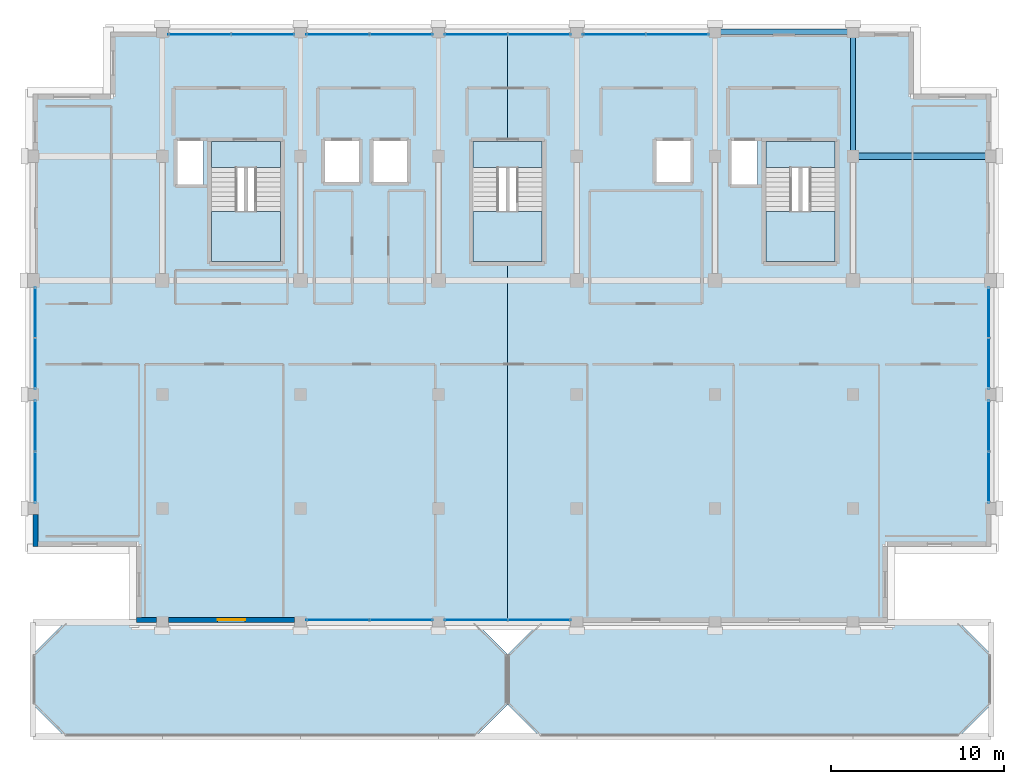
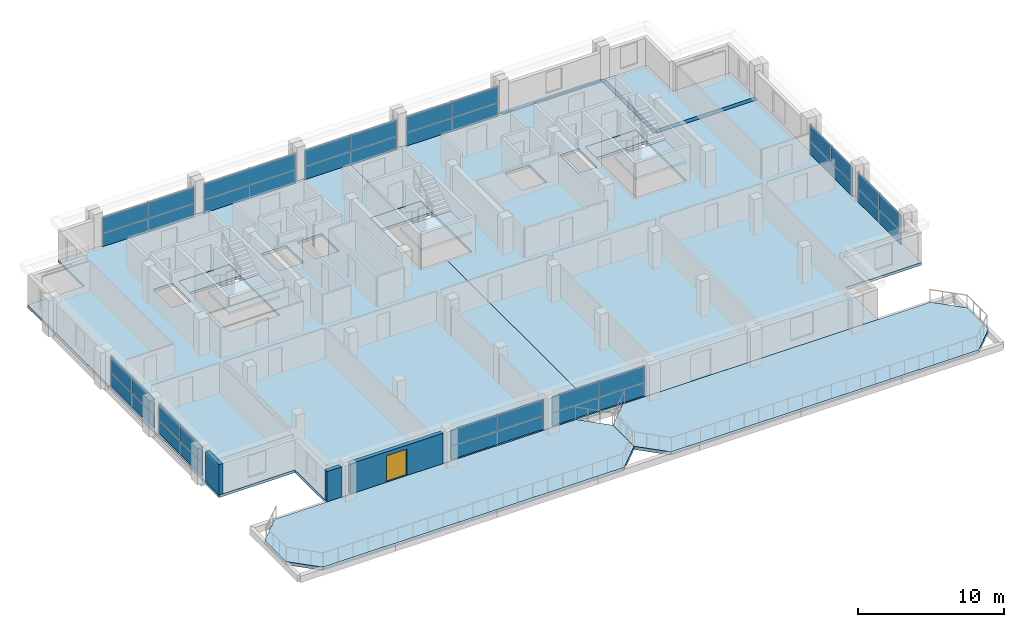
# One storey, part 15 of 21: 30 plates, 10 slabs, 3 beams, 3 walls, 1 door, 1 opening, 13 elements without a shape of their own.
"""IFC4 building model written with IfcOpenShell, lengths in metres."""

from ifc_helpers import new_model, si_unit, direction, frame, frame_2d, origin, origin_2d, place, context, subcontext, project, spatial, polyline, rectangle, outline, extrude, material, layer, layer_set, material_profile, profile_set, type_object, element, fill, aggregate, save


model = new_model("IFC4")

# Units and contexts
model_context = context("Model", 3, precision=1e-05, world=origin(), true_north=direction((0.0, 1.0)))
body_context = subcontext(model_context, "Body", "Model", "MODEL_VIEW")
ifc_project = project(units=[si_unit("LENGTHUNIT", "METRE"), si_unit("AREAUNIT", "SQUARE_METRE"), si_unit("VOLUMEUNIT", "CUBIC_METRE"), si_unit("PLANEANGLEUNIT", "RADIAN"), si_unit("MASSUNIT", "GRAM", prefix="KILO")], contexts=[model_context])

# Site, building, storey
site_placement = place(None, origin())
site = spatial("IfcSite", under=ifc_project, at=site_placement, CompositionType="ELEMENT")
building_placement = place(site_placement, origin())
building = spatial("IfcBuilding", under=site, at=building_placement, Name="Akrevak Sports Hall", CompositionType="ELEMENT")
storey_placement = place(building_placement, frame((0.0, 0.0, 53.550048828125)))
storey = spatial("IfcBuildingStorey", under=building, at=storey_placement, Name="L13", CompositionType="ELEMENT", Elevation=53.550048828125)

# Beams
ifc_material_1 = material(Name="Concrete C40/50", Category="concrete")
ifc_material_profile_1 = material_profile(ifc_material_1, rectangle(XDim=0.300048828125, YDim=0.5, at=origin_2d()), Name="BM 300x500", Category="concrete")
ifc_profile_set_1 = profile_set([ifc_material_profile_1], Name="Concrete C40/50")
beam_type_1 = type_object("IfcBeamType", Name="STR-BM-RC300x500", PredefinedType="BEAM", material=ifc_profile_set_1)
beam_1_placement = place(storey_placement, frame((100.0, 62.39990234375, -0.25), z_axis=(0.0, 1.0, 0.0), x_axis=(-1.0, 0.0, 0.0)))
element("IfcBeam", 1, at=beam_1_placement, inside=storey, type_object=beam_type_1, Name="Girder 14/J-K (L13)", PredefinedType="BEAM", context=body_context, shape_type="SweptSolid", body=[
    extrude(rectangle(XDim=0.300048828125, YDim=0.5, at=origin_2d()), origin(), (0.0, 0.0, 1.0), 7.2001953125),
])
ifc_material_profile_2 = material_profile(ifc_material_1, rectangle(XDim=0.35009765625, YDim=0.550048828125, at=origin_2d()), Name="BM 350x550", Category="concrete")
ifc_profile_set_2 = profile_set([ifc_material_profile_2], Name="Concrete C40/50")
beam_type_2 = type_object("IfcBeamType", Name="STR-BM-RC350x550", PredefinedType="BEAM", material=ifc_profile_set_2)
beam_2_placement = place(storey_placement, frame((100.0, 62.39990234375, -0.275146484375), z_axis=(1.0, 0.0, 0.0), x_axis=(0.0, 1.0, 0.0)))
element("IfcBeam", 2, at=beam_2_placement, inside=storey, type_object=beam_type_2, Name="Girder J/14-15 (L13)", PredefinedType="BEAM", context=body_context, shape_type="SweptSolid", body=[
    extrude(rectangle(XDim=0.35009765625, YDim=0.550048828125, at=origin_2d()), origin(), (0.0, 0.0, 1.0), 8.0),
])
ifc_material_profile_3 = material_profile(ifc_material_1, rectangle(XDim=0.320068359375, YDim=0.679931640625, at=origin_2d()), Name="SPD 320x680", Category="concrete")
ifc_profile_set_3 = profile_set([ifc_material_profile_3], Name="Concrete C40/50")
beam_type_3 = type_object("IfcBeamType", Name="STR-SPD-RC320x680", PredefinedType="SPANDREL", material=ifc_profile_set_3)
beam_3_placement = place(storey_placement, frame((92.0, 69.60009765625, -0.340087890625), z_axis=(1.0, 0.0, 0.0), x_axis=(0.0, 1.0, 0.0)))
element("IfcBeam", 3, at=beam_3_placement, inside=storey, type_object=beam_type_3, Name="Girder K/13-14 (L13)", PredefinedType="SPANDREL", context=body_context, shape_type="SweptSolid", body=[
    extrude(rectangle(XDim=0.320068359375, YDim=0.679931640625, at=origin_2d()), origin(), (0.0, 0.0, 1.0), 8.0),
])

# Curtain wall, plates
ifc_material_2 = material(Name="Anodized Bronze Aluminium & Low-E Glass", Category="aluminium")
curtain_wall_type = type_object("IfcCurtainWallType", Name="ARC-CW-TWR-68x30", PredefinedType="NOTDEFINED", material=ifc_material_2)
curtain_wall_1_placement = place(storey_placement, origin())
curtain_wall_1 = element("IfcCurtainWall", 4, at=curtain_wall_1_placement, inside=storey, type_object=curtain_wall_type, Name="Curtain Wall CW-L13-S03", PredefinedType="NOTDEFINED")
ifc_material_3 = material(Name="Double Low-E Tempered Glass", Category="glass")
ifc_layer_1 = layer(ifc_material_3, 0.031982421875, Name="Double Low-E Tempered Glass")
ifc_layer_set_1 = layer_set([ifc_layer_1], Name="Double Low-E Tempered Glass")
plate_type_1 = type_object("IfcPlateType", Name="ARC-CWP-GLZ-32", PredefinedType="CURTAIN_PANEL", material=ifc_layer_set_1)
plate_1_placement = place(storey_placement, frame((70.175048828125, 35.550048828125, 1.099853515625), z_axis=(0.0, 0.0, 1.0), x_axis=(1.0, 0.0, 0.0)))
plate_1 = element("IfcPlate", 5, at=plate_1_placement, type_object=plate_type_1, Name="Vision Glass Panel CW-L13-S03-G1", PredefinedType="CURTAIN_PANEL", context=body_context, shape_type="SweptSolid", body=[
    extrude(rectangle(XDim=3.64990234375, YDim=0.035888671875, at=origin_2d()), origin(), (0.0, 0.0, 1.0), 1.35009765625),
])
plate_2_placement = place(storey_placement, frame((73.824951171875, 35.550048828125, 1.099853515625), z_axis=(0.0, 0.0, 1.0), x_axis=(1.0, 0.0, 0.0)))
plate_2 = element("IfcPlate", 6, at=plate_2_placement, type_object=plate_type_1, Name="Vision Glass Panel CW-L13-S03-G2", PredefinedType="CURTAIN_PANEL", context=body_context, shape_type="SweptSolid", body=[
    extrude(rectangle(XDim=3.64990234375, YDim=0.035888671875, at=origin_2d()), origin(), (0.0, 0.0, 1.0), 1.35009765625),
])

curtain_wall_2_placement = place(storey_placement, origin())
curtain_wall_2 = element("IfcCurtainWall", 7, at=curtain_wall_2_placement, inside=storey, type_object=curtain_wall_type, Name="Curtain Wall CW-L13-S04", PredefinedType="NOTDEFINED")
plate_3_placement = place(storey_placement, frame((78.175048828125, 35.550048828125, 1.099853515625), z_axis=(0.0, 0.0, 1.0), x_axis=(1.0, 0.0, 0.0)))
plate_3 = element("IfcPlate", 8, at=plate_3_placement, type_object=plate_type_1, Name="Vision Glass Panel CW-L13-S04-G1", PredefinedType="CURTAIN_PANEL", context=body_context, shape_type="SweptSolid", body=[
    extrude(rectangle(XDim=3.64990234375, YDim=0.035888671875, at=origin_2d()), origin(), (0.0, 0.0, 1.0), 1.35009765625),
])
plate_4_placement = place(storey_placement, frame((81.824951171875, 35.550048828125, 1.099853515625), z_axis=(0.0, 0.0, 1.0), x_axis=(1.0, 0.0, 0.0)))
plate_4 = element("IfcPlate", 9, at=plate_4_placement, type_object=plate_type_1, Name="Vision Glass Panel CW-L13-S04-G2", PredefinedType="CURTAIN_PANEL", context=body_context, shape_type="SweptSolid", body=[
    extrude(rectangle(XDim=3.64990234375, YDim=0.035888671875, at=origin_2d()), origin(), (0.0, 0.0, 1.0), 1.35009765625),
])

curtain_wall_3_placement = place(storey_placement, origin())
curtain_wall_3 = element("IfcCurtainWall", 10, at=curtain_wall_3_placement, inside=storey, type_object=curtain_wall_type, Name="Curtain Wall CW-L13-E11", PredefinedType="NOTDEFINED")
plate_5_placement = place(storey_placement, frame((107.85009765625, 43.824951171875, 1.099853515625), z_axis=(0.0, 0.0, 1.0), x_axis=(0.0, 1.0, 0.0)))
plate_5 = element("IfcPlate", 11, at=plate_5_placement, type_object=plate_type_1, Name="Vision Glass Panel CW-L13-E11-G1", PredefinedType="CURTAIN_PANEL", context=body_context, shape_type="SweptSolid", body=[
    extrude(rectangle(XDim=2.949951171875, YDim=0.035888671875, at=origin_2d()), origin(), (0.0, 0.0, 1.0), 1.35009765625),
])
plate_6_placement = place(storey_placement, frame((107.85009765625, 46.77490234375, 1.099853515625), z_axis=(0.0, 0.0, 1.0), x_axis=(0.0, 1.0, 0.0)))
plate_6 = element("IfcPlate", 12, at=plate_6_placement, type_object=plate_type_1, Name="Vision Glass Panel CW-L13-E11-G2", PredefinedType="CURTAIN_PANEL", context=body_context, shape_type="SweptSolid", body=[
    extrude(rectangle(XDim=2.949951171875, YDim=0.035888671875, at=origin_2d()), origin(), (0.0, 0.0, 1.0), 1.35009765625),
])

curtain_wall_4_placement = place(storey_placement, origin())
curtain_wall_4 = element("IfcCurtainWall", 13, at=curtain_wall_4_placement, inside=storey, type_object=curtain_wall_type, Name="Curtain Wall CW-L13-E12", PredefinedType="NOTDEFINED")
plate_7_placement = place(storey_placement, frame((107.85009765625, 50.41259765625, 1.099853515625), z_axis=(0.0, 0.0, 1.0), x_axis=(0.0, 1.0, 0.0)))
plate_7 = element("IfcPlate", 14, at=plate_7_placement, type_object=plate_type_1, Name="Vision Glass Panel CW-L13-E12-G1", PredefinedType="CURTAIN_PANEL", context=body_context, shape_type="SweptSolid", body=[
    extrude(rectangle(XDim=2.925048828125, YDim=0.035888671875, at=origin_2d()), origin(), (0.0, 0.0, 1.0), 1.35009765625),
])
plate_8_placement = place(storey_placement, frame((107.85009765625, 53.33740234375, 1.099853515625), z_axis=(0.0, 0.0, 1.0), x_axis=(0.0, 1.0, 0.0)))
plate_8 = element("IfcPlate", 15, at=plate_8_placement, type_object=plate_type_1, Name="Vision Glass Panel CW-L13-E12-G2", PredefinedType="CURTAIN_PANEL", context=body_context, shape_type="SweptSolid", body=[
    extrude(rectangle(XDim=2.925048828125, YDim=0.035888671875, at=origin_2d()), origin(), (0.0, 0.0, 1.0), 1.35009765625),
])

curtain_wall_5_placement = place(storey_placement, origin())
curtain_wall_5 = element("IfcCurtainWall", 16, at=curtain_wall_5_placement, inside=storey, type_object=curtain_wall_type, Name="Curtain Wall CW-L13-N19", PredefinedType="NOTDEFINED")
plate_9_placement = place(storey_placement, frame((89.824951171875, 69.449951171875, 1.099853515625), z_axis=(0.0, 0.0, 1.0), x_axis=(-1.0, 0.0, 0.0)))
plate_9 = element("IfcPlate", 17, at=plate_9_placement, type_object=plate_type_1, Name="Vision Glass Panel CW-L13-N19-G1", PredefinedType="CURTAIN_PANEL", context=body_context, shape_type="SweptSolid", body=[
    extrude(rectangle(XDim=3.64990234375, YDim=0.035888671875, at=origin_2d()), origin(), (0.0, 0.0, 1.0), 1.35009765625),
])
plate_10_placement = place(storey_placement, frame((86.175048828125, 69.449951171875, 1.099853515625), z_axis=(0.0, 0.0, 1.0), x_axis=(-1.0, 0.0, 0.0)))
plate_10 = element("IfcPlate", 18, at=plate_10_placement, type_object=plate_type_1, Name="Vision Glass Panel CW-L13-N19-G2", PredefinedType="CURTAIN_PANEL", context=body_context, shape_type="SweptSolid", body=[
    extrude(rectangle(XDim=3.64990234375, YDim=0.035888671875, at=origin_2d()), origin(), (0.0, 0.0, 1.0), 1.35009765625),
])

curtain_wall_6_placement = place(storey_placement, origin())
curtain_wall_6 = element("IfcCurtainWall", 19, at=curtain_wall_6_placement, inside=storey, type_object=curtain_wall_type, Name="Curtain Wall CW-L13-N20", PredefinedType="NOTDEFINED")
plate_11_placement = place(storey_placement, frame((81.824951171875, 69.449951171875, 1.099853515625), z_axis=(0.0, 0.0, 1.0), x_axis=(-1.0, 0.0, 0.0)))
plate_11 = element("IfcPlate", 20, at=plate_11_placement, type_object=plate_type_1, Name="Vision Glass Panel CW-L13-N20-G1", PredefinedType="CURTAIN_PANEL", context=body_context, shape_type="SweptSolid", body=[
    extrude(rectangle(XDim=3.64990234375, YDim=0.035888671875, at=origin_2d()), origin(), (0.0, 0.0, 1.0), 1.35009765625),
])
plate_12_placement = place(storey_placement, frame((78.175048828125, 69.449951171875, 1.099853515625), z_axis=(0.0, 0.0, 1.0), x_axis=(-1.0, 0.0, 0.0)))
plate_12 = element("IfcPlate", 21, at=plate_12_placement, type_object=plate_type_1, Name="Vision Glass Panel CW-L13-N20-G2", PredefinedType="CURTAIN_PANEL", context=body_context, shape_type="SweptSolid", body=[
    extrude(rectangle(XDim=3.64990234375, YDim=0.035888671875, at=origin_2d()), origin(), (0.0, 0.0, 1.0), 1.35009765625),
])

curtain_wall_7_placement = place(storey_placement, origin())
curtain_wall_7 = element("IfcCurtainWall", 22, at=curtain_wall_7_placement, inside=storey, type_object=curtain_wall_type, Name="Curtain Wall CW-L13-N21", PredefinedType="NOTDEFINED")
plate_13_placement = place(storey_placement, frame((73.824951171875, 69.449951171875, 1.099853515625), z_axis=(0.0, 0.0, 1.0), x_axis=(-1.0, 0.0, 0.0)))
plate_13 = element("IfcPlate", 23, at=plate_13_placement, type_object=plate_type_1, Name="Vision Glass Panel CW-L13-N21-G1", PredefinedType="CURTAIN_PANEL", context=body_context, shape_type="SweptSolid", body=[
    extrude(rectangle(XDim=3.64990234375, YDim=0.035888671875, at=origin_2d()), origin(), (0.0, 0.0, 1.0), 1.35009765625),
])
plate_14_placement = place(storey_placement, frame((70.175048828125, 69.449951171875, 1.099853515625), z_axis=(0.0, 0.0, 1.0), x_axis=(-1.0, 0.0, 0.0)))
plate_14 = element("IfcPlate", 24, at=plate_14_placement, type_object=plate_type_1, Name="Vision Glass Panel CW-L13-N21-G2", PredefinedType="CURTAIN_PANEL", context=body_context, shape_type="SweptSolid", body=[
    extrude(rectangle(XDim=3.64990234375, YDim=0.035888671875, at=origin_2d()), origin(), (0.0, 0.0, 1.0), 1.35009765625),
])

curtain_wall_8_placement = place(storey_placement, origin())
curtain_wall_8 = element("IfcCurtainWall", 25, at=curtain_wall_8_placement, inside=storey, type_object=curtain_wall_type, Name="Curtain Wall CW-L13-N22", PredefinedType="NOTDEFINED")
plate_15_placement = place(storey_placement, frame((65.824951171875, 69.449951171875, 1.099853515625), z_axis=(0.0, 0.0, 1.0), x_axis=(-1.0, 0.0, 0.0)))
plate_15 = element("IfcPlate", 26, at=plate_15_placement, type_object=plate_type_1, Name="Vision Glass Panel CW-L13-N22-G1", PredefinedType="CURTAIN_PANEL", context=body_context, shape_type="SweptSolid", body=[
    extrude(rectangle(XDim=3.64990234375, YDim=0.035888671875, at=origin_2d()), origin(), (0.0, 0.0, 1.0), 1.35009765625),
])
plate_16_placement = place(storey_placement, frame((62.175048828125, 69.449951171875, 1.099853515625), z_axis=(0.0, 0.0, 1.0), x_axis=(-1.0, 0.0, 0.0)))
plate_16 = element("IfcPlate", 27, at=plate_16_placement, type_object=plate_type_1, Name="Vision Glass Panel CW-L13-N22-G2", PredefinedType="CURTAIN_PANEL", context=body_context, shape_type="SweptSolid", body=[
    extrude(rectangle(XDim=3.64990234375, YDim=0.035888671875, at=origin_2d()), origin(), (0.0, 0.0, 1.0), 1.35009765625),
])

curtain_wall_9_placement = place(storey_placement, origin())
curtain_wall_9 = element("IfcCurtainWall", 28, at=curtain_wall_9_placement, inside=storey, type_object=curtain_wall_type, Name="Curtain Wall CW-L13-W28", PredefinedType="NOTDEFINED")
plate_17_placement = place(storey_placement, frame((52.64990234375, 53.33740234375, 1.099853515625), z_axis=(0.0, 0.0, 1.0), x_axis=(0.0, -1.0, 0.0)))
plate_17 = element("IfcPlate", 29, at=plate_17_placement, type_object=plate_type_1, Name="Vision Glass Panel CW-L13-W28-G1", PredefinedType="CURTAIN_PANEL", context=body_context, shape_type="SweptSolid", body=[
    extrude(rectangle(XDim=2.925048828125, YDim=0.035888671875, at=origin_2d()), origin(), (0.0, 0.0, 1.0), 1.35009765625),
])
plate_18_placement = place(storey_placement, frame((52.64990234375, 50.41259765625, 1.099853515625), z_axis=(0.0, 0.0, 1.0), x_axis=(0.0, -1.0, 0.0)))
plate_18 = element("IfcPlate", 30, at=plate_18_placement, type_object=plate_type_1, Name="Vision Glass Panel CW-L13-W28-G2", PredefinedType="CURTAIN_PANEL", context=body_context, shape_type="SweptSolid", body=[
    extrude(rectangle(XDim=2.925048828125, YDim=0.035888671875, at=origin_2d()), origin(), (0.0, 0.0, 1.0), 1.35009765625),
])

curtain_wall_10_placement = place(storey_placement, origin())
curtain_wall_10 = element("IfcCurtainWall", 31, at=curtain_wall_10_placement, inside=storey, type_object=curtain_wall_type, Name="Curtain Wall CW-L13-W29", PredefinedType="NOTDEFINED")
plate_19_placement = place(storey_placement, frame((52.64990234375, 46.77490234375, 1.099853515625), z_axis=(0.0, 0.0, 1.0), x_axis=(0.0, -1.0, 0.0)))
plate_19 = element("IfcPlate", 32, at=plate_19_placement, type_object=plate_type_1, Name="Vision Glass Panel CW-L13-W29-G1", PredefinedType="CURTAIN_PANEL", context=body_context, shape_type="SweptSolid", body=[
    extrude(rectangle(XDim=2.949951171875, YDim=0.035888671875, at=origin_2d()), origin(), (0.0, 0.0, 1.0), 1.35009765625),
])
plate_20_placement = place(storey_placement, frame((52.64990234375, 43.824951171875, 1.099853515625), z_axis=(0.0, 0.0, 1.0), x_axis=(0.0, -1.0, 0.0)))
plate_20 = element("IfcPlate", 33, at=plate_20_placement, type_object=plate_type_1, Name="Vision Glass Panel CW-L13-W29-G2", PredefinedType="CURTAIN_PANEL", context=body_context, shape_type="SweptSolid", body=[
    extrude(rectangle(XDim=2.949951171875, YDim=0.035888671875, at=origin_2d()), origin(), (0.0, 0.0, 1.0), 1.35009765625),
])

# Plate
ifc_material_4 = material(Name="Insulated Bronze Spandrel Panel", Category="aluminium")
ifc_layer_2 = layer(ifc_material_4, 0.0400390625, Name="Insulated Bronze Spandrel Panel")
ifc_layer_set_2 = layer_set([ifc_layer_2], Name="Insulated Bronze Spandrel Panel")
plate_type_2 = type_object("IfcPlateType", Name="ARC-CWP-SPD-40", PredefinedType="CURTAIN_PANEL", material=ifc_layer_set_2)
plate_21_placement = place(storey_placement, frame((72.0, 35.550048828125, 0.0), z_axis=(0.0, 0.0, 1.0), x_axis=(1.0, 0.0, 0.0)))
plate_21 = element("IfcPlate", 34, at=plate_21_placement, type_object=plate_type_2, Name="Insulated Spandrel Panel CW-L13-S03-S1", PredefinedType="CURTAIN_PANEL", context=body_context, shape_type="SweptSolid", body=[
    extrude(rectangle(XDim=7.300048828125, YDim=0.0439453125, at=origin_2d()), origin(), (0.0, 0.0, 1.0), 1.10009765625),
])

aggregate(curtain_wall_1, [plate_1, plate_2, plate_21])

plate_22_placement = place(storey_placement, frame((80.0, 35.550048828125, 0.0), z_axis=(0.0, 0.0, 1.0), x_axis=(1.0, 0.0, 0.0)))
plate_22 = element("IfcPlate", 35, at=plate_22_placement, type_object=plate_type_2, Name="Insulated Spandrel Panel CW-L13-S04-S1", PredefinedType="CURTAIN_PANEL", context=body_context, shape_type="SweptSolid", body=[
    extrude(rectangle(XDim=7.300048828125, YDim=0.0439453125, at=origin_2d()), origin(), (0.0, 0.0, 1.0), 1.10009765625),
])

aggregate(curtain_wall_2, [plate_3, plate_4, plate_22])

plate_23_placement = place(storey_placement, frame((107.85009765625, 45.300048828125, 0.0), z_axis=(0.0, 0.0, 1.0), x_axis=(0.0, 1.0, 0.0)))
plate_23 = element("IfcPlate", 36, at=plate_23_placement, type_object=plate_type_2, Name="Insulated Spandrel Panel CW-L13-E11-S1", PredefinedType="CURTAIN_PANEL", context=body_context, shape_type="SweptSolid", body=[
    extrude(rectangle(XDim=5.89990234375, YDim=0.0439453125, at=origin_2d()), origin(), (0.0, 0.0, 1.0), 1.10009765625),
])

aggregate(curtain_wall_3, [plate_5, plate_6, plate_23])

plate_24_placement = place(storey_placement, frame((107.85009765625, 51.875, 0.0), z_axis=(0.0, 0.0, 1.0), x_axis=(0.0, 1.0, 0.0)))
plate_24 = element("IfcPlate", 37, at=plate_24_placement, type_object=plate_type_2, Name="Insulated Spandrel Panel CW-L13-E12-S1", PredefinedType="CURTAIN_PANEL", context=body_context, shape_type="SweptSolid", body=[
    extrude(rectangle(XDim=5.85009765625, YDim=0.0439453125, at=origin_2d()), origin(), (0.0, 0.0, 1.0), 1.10009765625),
])

aggregate(curtain_wall_4, [plate_7, plate_8, plate_24])

plate_25_placement = place(storey_placement, frame((88.0, 69.449951171875, 0.0), z_axis=(0.0, 0.0, 1.0), x_axis=(-1.0, 0.0, 0.0)))
plate_25 = element("IfcPlate", 38, at=plate_25_placement, type_object=plate_type_2, Name="Insulated Spandrel Panel CW-L13-N19-S1", PredefinedType="CURTAIN_PANEL", context=body_context, shape_type="SweptSolid", body=[
    extrude(rectangle(XDim=7.300048828125, YDim=0.0439453125, at=origin_2d()), origin(), (0.0, 0.0, 1.0), 1.10009765625),
])

aggregate(curtain_wall_5, [plate_9, plate_10, plate_25])

plate_26_placement = place(storey_placement, frame((80.0, 69.449951171875, 0.0), z_axis=(0.0, 0.0, 1.0), x_axis=(-1.0, 0.0, 0.0)))
plate_26 = element("IfcPlate", 39, at=plate_26_placement, type_object=plate_type_2, Name="Insulated Spandrel Panel CW-L13-N20-S1", PredefinedType="CURTAIN_PANEL", context=body_context, shape_type="SweptSolid", body=[
    extrude(rectangle(XDim=7.300048828125, YDim=0.0439453125, at=origin_2d()), origin(), (0.0, 0.0, 1.0), 1.10009765625),
])

aggregate(curtain_wall_6, [plate_11, plate_12, plate_26])

plate_27_placement = place(storey_placement, frame((72.0, 69.449951171875, 0.0), z_axis=(0.0, 0.0, 1.0), x_axis=(-1.0, 0.0, 0.0)))
plate_27 = element("IfcPlate", 40, at=plate_27_placement, type_object=plate_type_2, Name="Insulated Spandrel Panel CW-L13-N21-S1", PredefinedType="CURTAIN_PANEL", context=body_context, shape_type="SweptSolid", body=[
    extrude(rectangle(XDim=7.300048828125, YDim=0.0439453125, at=origin_2d()), origin(), (0.0, 0.0, 1.0), 1.10009765625),
])

aggregate(curtain_wall_7, [plate_13, plate_14, plate_27])

plate_28_placement = place(storey_placement, frame((64.0, 69.449951171875, 0.0), z_axis=(0.0, 0.0, 1.0), x_axis=(-1.0, 0.0, 0.0)))
plate_28 = element("IfcPlate", 41, at=plate_28_placement, type_object=plate_type_2, Name="Insulated Spandrel Panel CW-L13-N22-S1", PredefinedType="CURTAIN_PANEL", context=body_context, shape_type="SweptSolid", body=[
    extrude(rectangle(XDim=7.300048828125, YDim=0.0439453125, at=origin_2d()), origin(), (0.0, 0.0, 1.0), 1.10009765625),
])

aggregate(curtain_wall_8, [plate_15, plate_16, plate_28])

plate_29_placement = place(storey_placement, frame((52.64990234375, 51.875, 0.0), z_axis=(0.0, 0.0, 1.0), x_axis=(0.0, -1.0, 0.0)))
plate_29 = element("IfcPlate", 42, at=plate_29_placement, type_object=plate_type_2, Name="Insulated Spandrel Panel CW-L13-W28-S1", PredefinedType="CURTAIN_PANEL", context=body_context, shape_type="SweptSolid", body=[
    extrude(rectangle(XDim=5.85009765625, YDim=0.0439453125, at=origin_2d()), origin(), (0.0, 0.0, 1.0), 1.10009765625),
])

aggregate(curtain_wall_9, [plate_17, plate_18, plate_29])

plate_30_placement = place(storey_placement, frame((52.64990234375, 45.300048828125, 0.0), z_axis=(0.0, 0.0, 1.0), x_axis=(0.0, -1.0, 0.0)))
plate_30 = element("IfcPlate", 43, at=plate_30_placement, type_object=plate_type_2, Name="Insulated Spandrel Panel CW-L13-W29-S1", PredefinedType="CURTAIN_PANEL", context=body_context, shape_type="SweptSolid", body=[
    extrude(rectangle(XDim=5.89990234375, YDim=0.0439453125, at=origin_2d()), origin(), (0.0, 0.0, 1.0), 1.10009765625),
])

aggregate(curtain_wall_10, [plate_19, plate_20, plate_30])

# Slabs
ifc_layer_3 = layer(ifc_material_1, 0.219970703125, Name="Concrete C40/50")
ifc_layer_set_3 = layer_set([ifc_layer_3], Name="Concrete C40/50")
slab_type_1 = type_object("IfcSlabType", Name="STR-SLB-FLR-220", PredefinedType="FLOOR", material=ifc_layer_set_3)
slab_1_placement = place(storey_placement, frame((0.0, 0.0, -0.219970703125)))
element("IfcSlab", 44, at=slab_1_placement, inside=storey, type_object=slab_type_1, Name="Structural Floor Slab L13-1.1", PredefinedType="FLOOR", context=body_context, shape_type="SweptSolid", body=[
    extrude(outline(polyline([(58.5, 39.800048828125), (58.5, 35.39990234375), (80.0, 35.39990234375), (80.0, 56.300048828125), (78.0, 56.300048828125), (78.0, 63.25), (80.0, 63.25), (80.0, 69.60009765625), (57.0, 69.60009765625), (57.0, 66.0), (52.5, 66.0), (52.5, 39.800048828125), (58.5, 39.800048828125)]), holes=[polyline([(62.85009765625, 63.25), (66.85009765625, 63.25), (66.85009765625, 56.300048828125), (62.85009765625, 56.300048828125), (62.85009765625, 63.25)]), polyline([(60.8701171875, 63.280029296875), (62.3798828125, 63.280029296875), (62.3798828125, 60.77001953125), (60.8701171875, 60.77001953125), (60.8701171875, 63.280029296875)]), polyline([(69.419921875, 63.280029296875), (71.3798828125, 63.280029296875), (71.3798828125, 60.919921875), (69.419921875, 60.919921875), (69.419921875, 63.280029296875)]), polyline([(72.219970703125, 63.280029296875), (74.179931640625, 63.280029296875), (74.179931640625, 60.919921875), (72.219970703125, 60.919921875), (72.219970703125, 63.280029296875)])]), origin(), (0.0, 0.0, 1.0), 0.219970703125),
])
slab_2_placement = place(storey_placement, frame((0.0, 0.0, -0.219970703125)))
element("IfcSlab", 45, at=slab_2_placement, inside=storey, type_object=slab_type_1, Name="Structural Floor Slab L13-2.1", PredefinedType="FLOOR", context=body_context, shape_type="SweptSolid", body=[
    extrude(outline(polyline([(80.0, 69.60009765625), (80.0, 63.25), (82.0, 63.25), (82.0, 56.300048828125), (80.0, 56.300048828125), (80.0, 35.39990234375), (102.0, 35.39990234375), (102.0, 39.800048828125), (108.0, 39.800048828125), (108.0, 66.0), (103.5, 66.0), (103.5, 69.60009765625), (80.0, 69.60009765625)]), holes=[polyline([(94.949951171875, 63.25), (98.949951171875, 63.25), (98.949951171875, 56.300048828125), (94.949951171875, 56.300048828125), (94.949951171875, 63.25)]), polyline([(92.969970703125, 63.280029296875), (94.47998046875, 63.280029296875), (94.47998046875, 60.77001953125), (92.969970703125, 60.77001953125), (92.969970703125, 63.280029296875)]), polyline([(88.6201171875, 63.280029296875), (90.580078125, 63.280029296875), (90.580078125, 60.919921875), (88.6201171875, 60.919921875), (88.6201171875, 63.280029296875)])]), origin(), (0.0, 0.0, 1.0), 0.219970703125),
])

# Stair, slab
stair_type = type_object("IfcStairType", Name="ARC-STR-DOG-325", PredefinedType="HALF_TURN_STAIR", material=ifc_material_1)
stair_1_placement = place(storey_placement, origin())
stair_1 = element("IfcStair", 46, at=stair_1_placement, inside=storey, type_object=stair_type, Name="Protected Exit Stair ST1 (L13 to L14)", PredefinedType="HALF_TURN_STAIR")
ifc_layer_4 = layer(ifc_material_1, 0.199951171875, Name="Concrete C40/50")
ifc_layer_set_4 = layer_set([ifc_layer_4], Name="Concrete C40/50")
slab_type_2 = type_object("IfcSlabType", Name="STR-SLB-LAND-200", PredefinedType="LANDING", material=ifc_layer_set_4)
slab_3_placement = place(storey_placement, frame((0.0, 0.0, 1.425048828125)))
slab_3 = element("IfcSlab", 47, at=slab_3_placement, type_object=slab_type_2, Name="Stair ST1 Half-Landing 1 (L13)", PredefinedType="LANDING", context=body_context, shape_type="SweptSolid", body=[
    extrude(outline(polyline([(62.85009765625, 56.300048828125), (66.85009765625, 56.300048828125), (66.85009765625, 59.215087890625), (62.85009765625, 59.215087890625), (62.85009765625, 56.300048828125)])), origin(), (0.0, 0.0, 1.0), 0.199951171875),
])
aggregate(stair_1, [slab_3])

stair_2_placement = place(storey_placement, origin())
stair_2 = element("IfcStair", 48, at=stair_2_placement, inside=storey, type_object=stair_type, Name="Protected Exit Stair ST2 (L13 to L14)", PredefinedType="HALF_TURN_STAIR")
slab_4_placement = place(storey_placement, frame((0.0, 0.0, 1.425048828125)))
slab_4 = element("IfcSlab", 49, at=slab_4_placement, type_object=slab_type_2, Name="Stair ST2 Half-Landing 1 (L13)", PredefinedType="LANDING", context=body_context, shape_type="SweptSolid", body=[
    extrude(outline(polyline([(94.949951171875, 56.300048828125), (98.949951171875, 56.300048828125), (98.949951171875, 59.215087890625), (94.949951171875, 59.215087890625), (94.949951171875, 56.300048828125)])), origin(), (0.0, 0.0, 1.0), 0.199951171875),
])
aggregate(stair_2, [slab_4])

stair_3_placement = place(storey_placement, origin())
stair_3 = element("IfcStair", 50, at=stair_3_placement, inside=storey, type_object=stair_type, Name="Protected Exit Stair ST3 (L13 to L14)", PredefinedType="HALF_TURN_STAIR")
slab_5_placement = place(storey_placement, frame((0.0, 0.0, 1.425048828125)))
slab_5 = element("IfcSlab", 51, at=slab_5_placement, type_object=slab_type_2, Name="Stair ST3 Half-Landing 1 (L13)", PredefinedType="LANDING", context=body_context, shape_type="SweptSolid", body=[
    extrude(outline(polyline([(78.0, 56.300048828125), (82.0, 56.300048828125), (82.0, 59.215087890625), (78.0, 59.215087890625), (78.0, 56.300048828125)])), origin(), (0.0, 0.0, 1.0), 0.199951171875),
])
aggregate(stair_3, [slab_5])

# Slabs
ifc_layer_5 = layer(ifc_material_1, 0.219970703125, Name="Concrete C40/50")
ifc_layer_set_5 = layer_set([ifc_layer_5], Name="Concrete C40/50")
slab_type_3 = type_object("IfcSlabType", Name="STR-SLB-LAND-220", PredefinedType="LANDING", material=ifc_layer_set_5)
slab_6_placement = place(storey_placement, frame((0.0, 0.0, -0.219970703125)))
element("IfcSlab", 52, at=slab_6_placement, inside=storey, type_object=slab_type_3, Name="Stair ST1 Floor Landing (L13)", PredefinedType="LANDING", context=body_context, shape_type="SweptSolid", body=[
    extrude(outline(polyline([(62.85009765625, 61.735107421875), (66.85009765625, 61.735107421875), (66.85009765625, 63.25), (62.85009765625, 63.25), (62.85009765625, 61.735107421875)])), origin(), (0.0, 0.0, 1.0), 0.219970703125),
])
slab_7_placement = place(storey_placement, frame((0.0, 0.0, -0.219970703125)))
element("IfcSlab", 53, at=slab_7_placement, inside=storey, type_object=slab_type_3, Name="Stair ST2 Floor Landing (L13)", PredefinedType="LANDING", context=body_context, shape_type="SweptSolid", body=[
    extrude(outline(polyline([(94.949951171875, 61.735107421875), (98.949951171875, 61.735107421875), (98.949951171875, 63.25), (94.949951171875, 63.25), (94.949951171875, 61.735107421875)])), origin(), (0.0, 0.0, 1.0), 0.219970703125),
])
slab_8_placement = place(storey_placement, frame((0.0, 0.0, -0.219970703125)))
element("IfcSlab", 54, at=slab_8_placement, inside=storey, type_object=slab_type_3, Name="Stair ST3 Floor Landing (L13)", PredefinedType="LANDING", context=body_context, shape_type="SweptSolid", body=[
    extrude(outline(polyline([(78.0, 61.735107421875), (82.0, 61.735107421875), (82.0, 63.25), (78.0, 63.25), (78.0, 61.735107421875)])), origin(), (0.0, 0.0, 1.0), 0.219970703125),
])
ifc_layer_6 = layer(ifc_material_1, 0.27001953125, Name="Concrete C40/50")
ifc_layer_set_6 = layer_set([ifc_layer_6], Name="Concrete C40/50")
slab_type_4 = type_object("IfcSlabType", Name="STR-SLB-TERR-270", PredefinedType="FLOOR", material=ifc_layer_set_6)
slab_9_placement = place(storey_placement, frame((0.0, 0.0, -0.27001953125)))
element("IfcSlab", 55, at=slab_9_placement, inside=storey, type_object=slab_type_4, Name="Upper Tower South-West Bosphorus Terrace", PredefinedType="FLOOR", context=body_context, shape_type="SweptSolid", body=[
    extrude(outline(polyline([(78.14990234375, 28.800048828125), (80.0, 30.64990234375), (80.0, 33.550048828125), (78.14990234375, 35.39990234375), (54.35009765625, 35.39990234375), (52.5, 33.550048828125), (52.5, 30.64990234375), (54.35009765625, 28.800048828125), (78.14990234375, 28.800048828125)])), origin(), (0.0, 0.0, 1.0), 0.27001953125),
])
slab_10_placement = place(storey_placement, frame((0.0, 0.0, -0.27001953125)))
element("IfcSlab", 56, at=slab_10_placement, inside=storey, type_object=slab_type_4, Name="Upper Tower South-East Bosphorus Terrace", PredefinedType="FLOOR", context=body_context, shape_type="SweptSolid", body=[
    extrude(outline(polyline([(106.14990234375, 28.800048828125), (108.0, 30.64990234375), (108.0, 33.550048828125), (106.14990234375, 35.39990234375), (81.85009765625, 35.39990234375), (80.0, 33.550048828125), (80.0, 30.64990234375), (81.85009765625, 28.800048828125), (106.14990234375, 28.800048828125)])), origin(), (0.0, 0.0, 1.0), 0.27001953125),
])

# Wall
ifc_material_5 = material(Name="Limestone Ashlar", Category="stone")
ifc_layer_7 = layer(ifc_material_5, 0.06005859375, Name="Limestone Ashlar")
ifc_material_6 = material(Name="Mineral Wool Thermal Insulation", Category="insulation")
ifc_layer_8 = layer(ifc_material_6, 0.090087890625, Name="Mineral Wool Thermal Insulation")
ifc_layer_9 = layer(ifc_material_1, 0.14990234375, Name="Concrete C40/50")
ifc_layer_set_7 = layer_set([ifc_layer_7, ifc_layer_8, ifc_layer_9], Name="Limestone Ashlar / Mineral Wool Thermal Insulation / Concrete C40/50")
wall_type = type_object("IfcWallType", Name="ARC-WL-EXT-300", PredefinedType="SOLIDWALL", material=ifc_layer_set_7)
wall_1_placement = place(storey_placement, frame((58.5, 35.550048828125, 0.0), z_axis=(0.0, 0.0, 1.0), x_axis=(1.0, 0.0, 0.0)))
element("IfcWall", 57, at=wall_1_placement, inside=storey, type_object=wall_type, Name="Tower Stone Facade Wall L13-S01", PredefinedType="SOLIDWALL", context=body_context, shape_type="SweptSolid", body=[
    extrude(rectangle(XDim=1.14990234375, YDim=0.300048828125, at=frame_2d((0.574951171875, 0.0))), origin(), (0.0, 0.0, 1.0), 2.530029296875),
])

# Wall, opening, door
wall_2_placement = place(storey_placement, frame((60.35009765625, 35.550048828125, 0.0), z_axis=(0.0, 0.0, 1.0), x_axis=(1.0, 0.0, 0.0)))
wall_2 = element("IfcWall", 58, at=wall_2_placement, inside=storey, type_object=wall_type, Name="Tower Stone Facade Wall L13-S02", PredefinedType="SOLIDWALL", context=body_context, shape_type="SweptSolid", body=[
    extrude(rectangle(XDim=7.2998046875, YDim=0.300048828125, at=frame_2d((3.64990234375, 0.0))), origin(), (0.0, 0.0, 1.0), 2.530029296875),
])
opening_placement = place(wall_2_placement, frame((2.85009765625, 0.0, 0.0)))
opening = element("IfcOpeningElement", 59, at=opening_placement, cuts=wall_2, Name="Opening TD-02", PredefinedType="OPENING", context=body_context, shape_type="SweptSolid", body=[
    extrude(rectangle(XDim=1.60009765625, YDim=2.199951171875, at=frame_2d((0.800048828125, 1.10009765625))), frame((0.0, 0.162109375, 0.0), z_axis=(0.0, -1.0, 0.0), x_axis=(1.0, 0.0, 0.0)), (0.0, 0.0, 1.0), 0.323974609375),
])
ifc_material_7 = material(Name="Anodized Bronze Aluminium & Tempered Glass", Category="aluminium")
door_type = type_object("IfcDoorType", Name="ARC-DR-TERR-160x220", OperationType="DOUBLE_DOOR_SINGLE_SWING", PredefinedType="DOOR", material=ifc_material_7)
door_placement = place(opening_placement, frame((1.60009765625, 0.0, 0.0), z_axis=(0.0, 0.0, 1.0), x_axis=(-1.0, 0.0, 0.0)))
door = element("IfcDoor", 60, at=door_placement, inside=storey, type_object=door_type, Name="L13 South Setback Terrace Door West TD-07", OperationType="DOUBLE_DOOR_SINGLE_SWING", OverallHeight=2.199951171875, OverallWidth=1.60009765625, PredefinedType="DOOR", context=body_context, shape_type="SweptSolid", body=[
    extrude(rectangle(XDim=1.60009765625, YDim=2.199951171875, at=frame_2d((0.800048828125, 1.10009765625))), frame((0.0, 0.02490234375, 0.0), z_axis=(0.0, -1.0, 0.0), x_axis=(1.0, 0.0, 0.0)), (0.0, 0.0, 1.0), 0.050048828125),
])
fill(opening, door)

# Wall
wall_3_placement = place(storey_placement, frame((52.64990234375, 41.64990234375, 0.0), z_axis=(0.0, 0.0, 1.0), x_axis=(0.0, -1.0, 0.0)))
element("IfcWall", 61, at=wall_3_placement, inside=storey, type_object=wall_type, Name="Tower Stone Facade Wall L13-W30", PredefinedType="SOLIDWALL", context=body_context, shape_type="SweptSolid", body=[
    extrude(rectangle(XDim=1.849853515625, YDim=0.300048828125, at=frame_2d((0.9248046875, 0.0))), origin(), (0.0, 0.0, 1.0), 2.530029296875),
])

save(model, "model.ifc")
